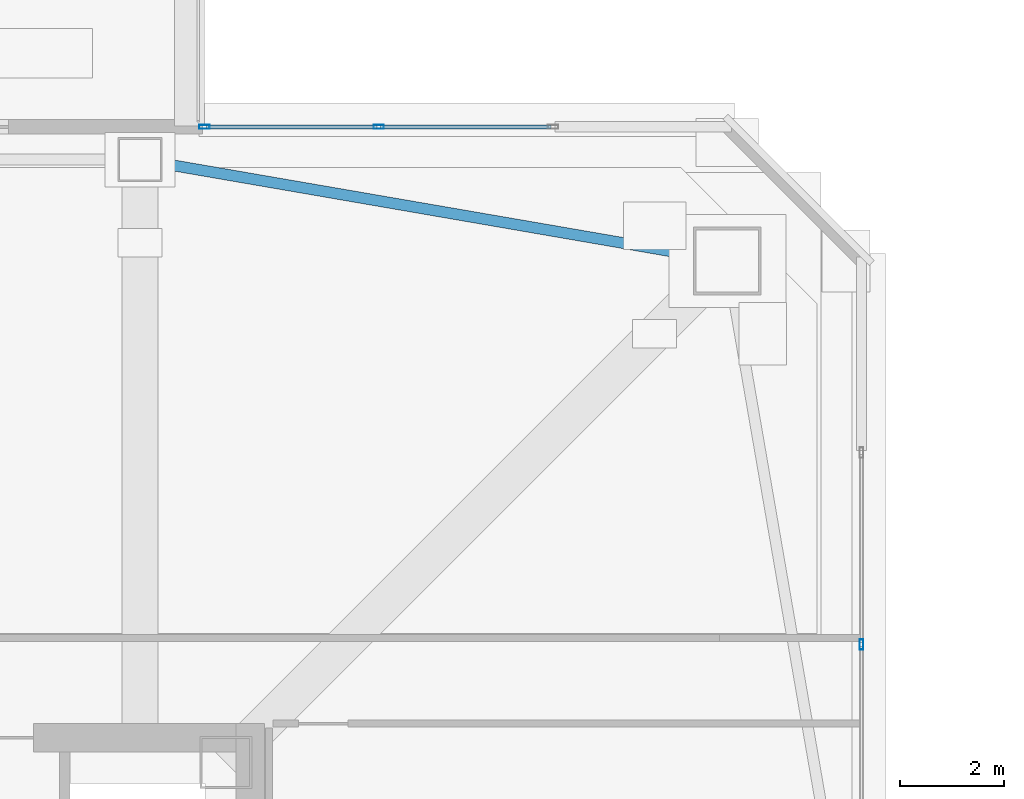
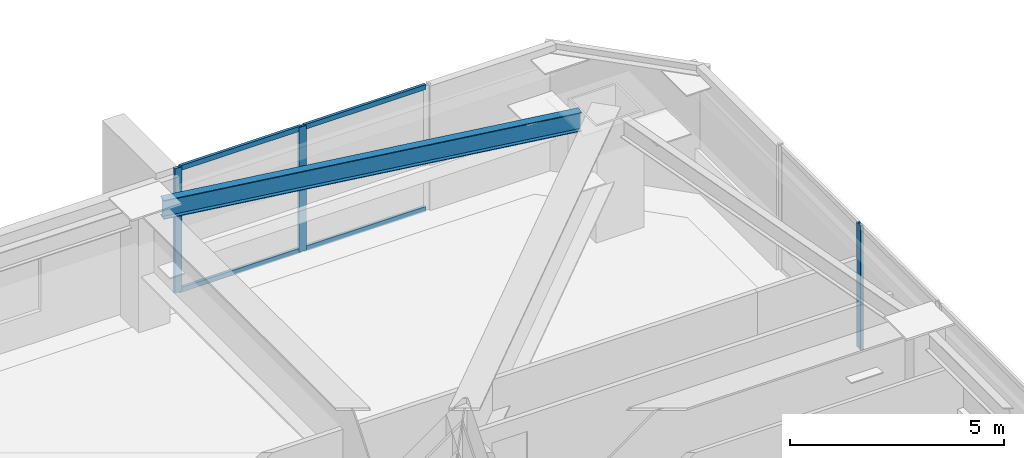
# One storey, part 14 of 42: 7 members, 1 beam, 2 elements without a shape of their own.
"""IFC4 building model written with IfcOpenShell, lengths in metres."""

from ifc_helpers import new_model, si_unit, direction, frame, origin, origin_2d, place, context, subcontext, project, spatial, hollow_rectangle, i_section, extrude, material, material_profile, profile_set, type_object, element, aggregate, save


model = new_model("IFC4")

# Units and contexts
model_context = context("Model", 3, precision=1e-05, world=origin(), true_north=direction((0.0, 1.0)))
body_context = subcontext(model_context, "Body", "Model", "MODEL_VIEW")
ifc_project = project(units=[si_unit("LENGTHUNIT", "METRE"), si_unit("AREAUNIT", "SQUARE_METRE"), si_unit("VOLUMEUNIT", "CUBIC_METRE"), si_unit("PLANEANGLEUNIT", "RADIAN"), si_unit("MASSUNIT", "GRAM", prefix="KILO")], contexts=[model_context])

# Site, building, storey
site_placement = place(None, origin())
site = spatial("IfcSite", under=ifc_project, at=site_placement, CompositionType="ELEMENT")
building_placement = place(site_placement, origin())
building = spatial("IfcBuilding", under=site, at=building_placement, Name="Tashvorn Skyway Center", CompositionType="ELEMENT")
storey_placement = place(building_placement, frame((0.0, 0.0, 153.449951171875)))
storey = spatial("IfcBuildingStorey", under=building, at=storey_placement, Name="L41", CompositionType="ELEMENT", Elevation=153.449951171875)

# Beam
ifc_material_1 = material(Name="Steel ASTM A992 Grade 50", Category="steel")
ifc_material_profile_1 = material_profile(ifc_material_1, i_section(OverallWidth=0.2109375, OverallDepth=0.5390625, WebThickness=0.01171875, FlangeThickness=0.018798828125, at=origin_2d()), Name="W21X73")
ifc_profile_set_1 = profile_set([ifc_material_profile_1], Name="Steel ASTM A992 Grade 50")
beam_type = type_object("IfcBeamType", Name="BM-SPANDREL-W21X73", PredefinedType="SPANDREL", material=ifc_profile_set_1)
beam_placement = place(storey_placement, frame((58.064453125, 48.8095703125, 3.1005859375), z_axis=(-0.985432458462, 0.170067250846, 0.0), x_axis=(-0.170067250846, -0.985432458462, 0.0)))
element("IfcBeam", 1, at=beam_placement, inside=storey, type_object=beam_type, Name="Tower 1 L41 Spandrel Beam 07", PredefinedType="SPANDREL", context=body_context, shape_type="SweptSolid", body=[
    extrude(i_section(OverallWidth=0.2109375, OverallDepth=0.5390625, WebThickness=0.01171875, FlangeThickness=0.018798828125, at=origin_2d()), origin(), (0.0, 0.0, 1.0), 10.402099609375),
])

# Curtain wall, members
ifc_material_2 = material(Name="Thermally broken bronze-anodized aluminium 6063-T6", Category="aluminium")
curtain_wall_type = type_object("IfcCurtainWallType", Name="CW-CW-Z3", PredefinedType="NOTDEFINED", material=ifc_material_2)
curtain_wall_1_placement = place(storey_placement, origin())
curtain_wall_1 = element("IfcCurtainWall", 2, at=curtain_wall_1_placement, inside=storey, type_object=curtain_wall_type, Name="Tower 1 L41 North Curtain Wall R Glazing Group 1", PredefinedType="NOTDEFINED")
ifc_material_profile_2 = material_profile(ifc_material_2, hollow_rectangle(XDim=0.074951171875, YDim=0.199951171875, WallThickness=0.00439453125, at=origin_2d()), Name="ALU-MULL-75x200")
ifc_profile_set_2 = profile_set([ifc_material_profile_2], Name="Thermally broken bronze-anodized aluminium 6063-T6")
member_type_1 = type_object("IfcMemberType", Name="CWM-CW-Z3", PredefinedType="MULLION", material=ifc_profile_set_2)
member_1_placement = place(storey_placement, frame((48.637451171875, 51.280029296875, 0.0), z_axis=(0.0, 0.0, 1.0), x_axis=(0.0, 1.0, 0.0)))
member_1 = element("IfcMember", 3, at=member_1_placement, type_object=member_type_1, Name="CW-Z3 mullion 1", PredefinedType="MULLION", context=body_context, shape_type="SweptSolid", body=[
    extrude(hollow_rectangle(XDim=0.074951171875, YDim=0.199951171875, WallThickness=0.00439453125, at=origin_2d()), origin(), (0.0, 0.0, 1.0), 3.550048828125),
])
member_2_placement = place(storey_placement, frame((51.993408203125, 51.280029296875, 0.0), z_axis=(0.0, 0.0, 1.0), x_axis=(0.0, 1.0, 0.0)))
member_2 = element("IfcMember", 4, at=member_2_placement, type_object=member_type_1, Name="CW-Z3 mullion 2", PredefinedType="MULLION", context=body_context, shape_type="SweptSolid", body=[
    extrude(hollow_rectangle(XDim=0.074951171875, YDim=0.199951171875, WallThickness=0.00439453125, at=origin_2d()), origin(), (0.0, 0.0, 1.0), 3.550048828125),
])

# Curtain wall, member
curtain_wall_2_placement = place(storey_placement, origin())
curtain_wall_2 = element("IfcCurtainWall", 5, at=curtain_wall_2_placement, inside=storey, type_object=curtain_wall_type, Name="Tower 1 L41 East Unitised Curtain Wall Glazing Group 1", PredefinedType="NOTDEFINED")
member_3_placement = place(storey_placement, frame((61.280029296875, 41.322265625, 0.0), z_axis=(0.0, 0.0, 1.0), x_axis=(1.0, 0.0, 0.0)))
member_3 = element("IfcMember", 6, at=member_3_placement, type_object=member_type_1, Name="CW-Z3 mullion 2", PredefinedType="MULLION", context=body_context, shape_type="SweptSolid", body=[
    extrude(hollow_rectangle(XDim=0.074951171875, YDim=0.199951171875, WallThickness=0.00439453125, at=origin_2d()), origin(), (0.0, 0.0, 1.0), 3.550048828125),
])
aggregate(curtain_wall_2, [member_3])

# Member
ifc_material_profile_3 = material_profile(ifc_material_2, hollow_rectangle(XDim=0.074951171875, YDim=0.139892578125, WallThickness=0.004150390625, at=origin_2d()), Name="ALU-TRAN-75x140")
ifc_profile_set_3 = profile_set([ifc_material_profile_3], Name="Thermally broken bronze-anodized aluminium 6063-T6")
member_type_2 = type_object("IfcMemberType", Name="CWT-CW-Z3", PredefinedType="USERDEFINED", material=ifc_profile_set_3)
member_4_placement = place(storey_placement, frame((48.675048828125, 51.280029296875, 0.03759765625), z_axis=(1.0, 0.0, 0.0), x_axis=(0.0, 1.0, 0.0)))
member_4 = element("IfcMember", 7, at=member_4_placement, type_object=member_type_2, Name="CW-Z3 transom 1.1", ObjectType="TRANSOM", PredefinedType="USERDEFINED", context=body_context, shape_type="SweptSolid", body=[
    extrude(hollow_rectangle(XDim=0.074951171875, YDim=0.139892578125, WallThickness=0.004150390625, at=origin_2d()), origin(), (0.0, 0.0, 1.0), 3.28076171875),
])

member_5_placement = place(storey_placement, frame((48.675048828125, 51.280029296875, 3.512451171875), z_axis=(1.0, 0.0, 0.0), x_axis=(0.0, 1.0, 0.0)))
member_5 = element("IfcMember", 8, at=member_5_placement, type_object=member_type_2, Name="CW-Z3 transom 1.2", ObjectType="TRANSOM", PredefinedType="USERDEFINED", context=body_context, shape_type="SweptSolid", body=[
    extrude(hollow_rectangle(XDim=0.074951171875, YDim=0.139892578125, WallThickness=0.004150390625, at=origin_2d()), origin(), (0.0, 0.0, 1.0), 3.28076171875),
])

member_6_placement = place(storey_placement, frame((52.03076171875, 51.280029296875, 0.03759765625), z_axis=(1.0, 0.0, 0.0), x_axis=(0.0, 1.0, 0.0)))
member_6 = element("IfcMember", 9, at=member_6_placement, type_object=member_type_2, Name="CW-Z3 transom 2.1", ObjectType="TRANSOM", PredefinedType="USERDEFINED", context=body_context, shape_type="SweptSolid", body=[
    extrude(hollow_rectangle(XDim=0.074951171875, YDim=0.139892578125, WallThickness=0.004150390625, at=origin_2d()), origin(), (0.0, 0.0, 1.0), 3.281005859375),
])

member_7_placement = place(storey_placement, frame((52.03076171875, 51.280029296875, 3.512451171875), z_axis=(1.0, 0.0, 0.0), x_axis=(0.0, 1.0, 0.0)))
member_7 = element("IfcMember", 10, at=member_7_placement, type_object=member_type_2, Name="CW-Z3 transom 2.2", ObjectType="TRANSOM", PredefinedType="USERDEFINED", context=body_context, shape_type="SweptSolid", body=[
    extrude(hollow_rectangle(XDim=0.074951171875, YDim=0.139892578125, WallThickness=0.004150390625, at=origin_2d()), origin(), (0.0, 0.0, 1.0), 3.281005859375),
])

aggregate(curtain_wall_1, [member_1, member_2, member_4, member_5, member_6, member_7])

save(model, "model.ifc")
